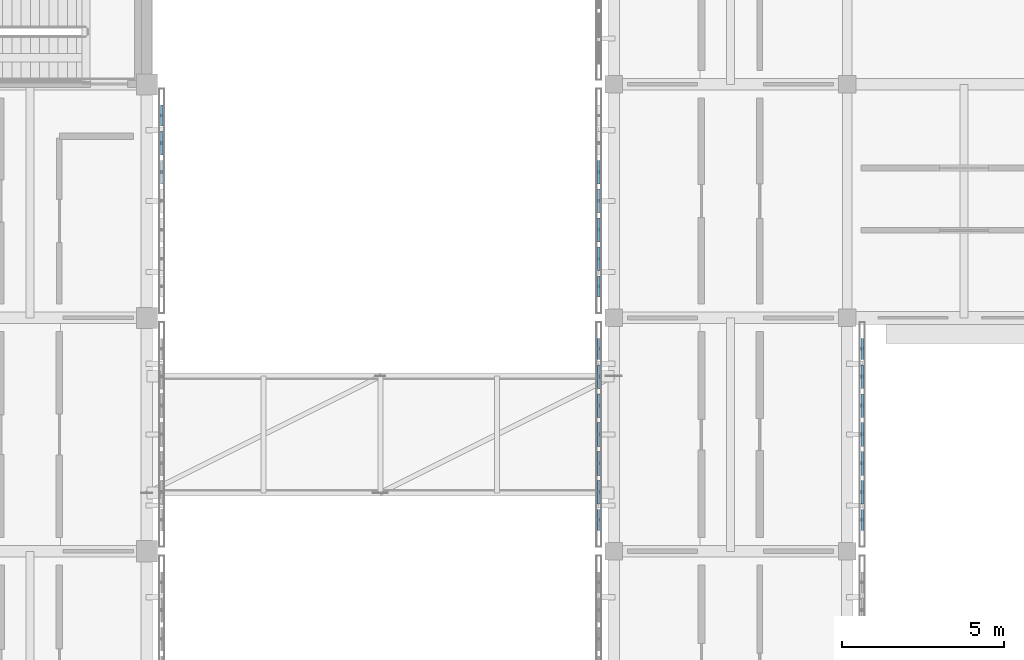
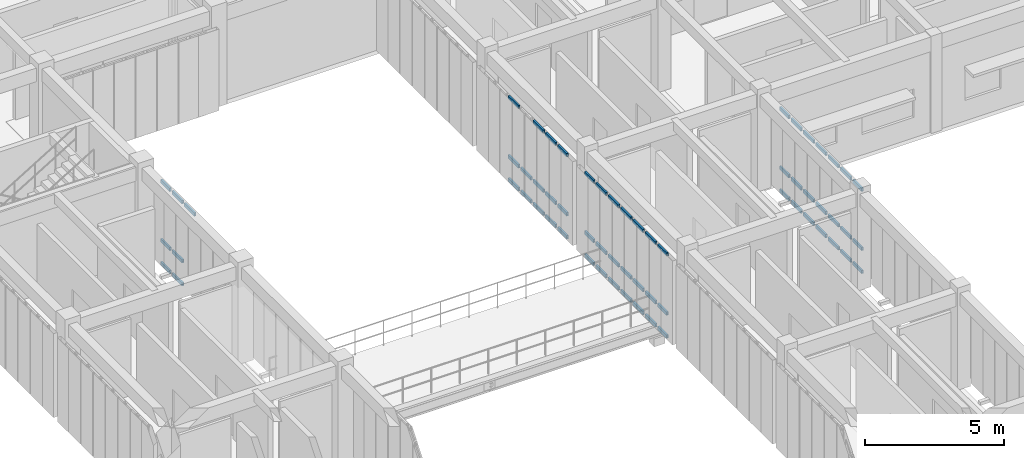
# One storey, part 29 of 91: 63 members, 4 elements without a shape of their own.
"""IFC4 building model written with IfcOpenShell, lengths in metres."""

from ifc_helpers import new_model, si_unit, direction, frame, origin, origin_2d, place, context, subcontext, project, spatial, hollow_rectangle, extrude, material, material_profile, profile_set, type_object, element, aggregate, save


model = new_model("IFC4")

# Units and contexts
model_context = context("Model", 3, precision=1e-05, world=origin(), true_north=direction((0.0, 1.0)))
body_context = subcontext(model_context, "Body", "Model", "MODEL_VIEW")
ifc_project = project(units=[si_unit("LENGTHUNIT", "METRE"), si_unit("AREAUNIT", "SQUARE_METRE"), si_unit("VOLUMEUNIT", "CUBIC_METRE"), si_unit("PLANEANGLEUNIT", "RADIAN"), si_unit("MASSUNIT", "GRAM", prefix="KILO")], contexts=[model_context])

# Site, building, storey
site_placement = place(None, origin())
site = spatial("IfcSite", under=ifc_project, at=site_placement, CompositionType="ELEMENT")
building_placement = place(site_placement, origin())
building = spatial("IfcBuilding", under=site, at=building_placement, Name="Aldebral Square Health Centre", CompositionType="ELEMENT")
storey_placement = place(building_placement, frame((0.0, 0.0, 9.0)))
storey = spatial("IfcBuildingStorey", under=building, at=storey_placement, Name="L02", CompositionType="ELEMENT", Elevation=9.0)

# Curtain wall, members
ifc_material_1 = material(Name="Aluminium and low-E solar glass", Category="aluminium")
curtain_wall_type = type_object("IfcCurtainWallType", Name="CW-FIN-SYS", PredefinedType="USERDEFINED", material=ifc_material_1)
curtain_wall_1_placement = place(storey_placement, origin())
curtain_wall_1 = element("IfcCurtainWall", 1, at=curtain_wall_1_placement, inside=storey, type_object=curtain_wall_type, Name="L02 V4 finned curtain wall L02-V4-00-12-E", ObjectType="SOLAR_CURTAIN_WALL", PredefinedType="USERDEFINED")
ifc_material_2 = material(Name="Anodised aluminium transom", Category="aluminium")
ifc_material_profile = material_profile(ifc_material_2, hollow_rectangle(XDim=0.074951171875, YDim=0.14990234375, WallThickness=0.00390625, at=origin_2d()), Name="CWT 75x150x4")
ifc_profile_set = profile_set([ifc_material_profile], Name="Anodised aluminium transom")
member_type = type_object("IfcMemberType", Name="CWT-STD", PredefinedType="USERDEFINED", material=ifc_profile_set)
member_1_placement = place(storey_placement, frame((7.659912109375, 90.525634765625, 3.652587890625), z_axis=(0.0, 1.0, 0.0), x_axis=(-1.0, 0.0, 0.0)))
member_1 = element("IfcMember", 2, at=member_1_placement, type_object=member_type, Name="CW1 transom 5.3", ObjectType="TRANSOM", PredefinedType="USERDEFINED", context=body_context, shape_type="SweptSolid", body=[
    extrude(hollow_rectangle(XDim=0.074951171875, YDim=0.14990234375, WallThickness=0.00390625, at=origin_2d()), origin(), (0.0, 0.0, 1.0), 0.7314453125),
])
member_2_placement = place(storey_placement, frame((7.659912109375, 91.417236328125, 0.03759765625), z_axis=(0.0, 1.0, 0.0), x_axis=(-1.0, 0.0, 0.0)))
member_2 = element("IfcMember", 3, at=member_2_placement, type_object=member_type, Name="CW1 transom 6.1", ObjectType="TRANSOM", PredefinedType="USERDEFINED", context=body_context, shape_type="SweptSolid", body=[
    extrude(hollow_rectangle(XDim=0.074951171875, YDim=0.14990234375, WallThickness=0.00390625, at=origin_2d()), origin(), (0.0, 0.0, 1.0), 0.7314453125),
])
member_3_placement = place(storey_placement, frame((7.659912109375, 91.417236328125, 1.050048828125), z_axis=(0.0, 1.0, 0.0), x_axis=(-1.0, 0.0, 0.0)))
member_3 = element("IfcMember", 4, at=member_3_placement, type_object=member_type, Name="CW1 transom 6.2", ObjectType="TRANSOM", PredefinedType="USERDEFINED", context=body_context, shape_type="SweptSolid", body=[
    extrude(hollow_rectangle(XDim=0.074951171875, YDim=0.14990234375, WallThickness=0.00390625, at=origin_2d()), origin(), (0.0, 0.0, 1.0), 0.7314453125),
])
member_4_placement = place(storey_placement, frame((7.659912109375, 91.417236328125, 3.652587890625), z_axis=(0.0, 1.0, 0.0), x_axis=(-1.0, 0.0, 0.0)))
member_4 = element("IfcMember", 5, at=member_4_placement, type_object=member_type, Name="CW1 transom 6.3", ObjectType="TRANSOM", PredefinedType="USERDEFINED", context=body_context, shape_type="SweptSolid", body=[
    extrude(hollow_rectangle(XDim=0.074951171875, YDim=0.14990234375, WallThickness=0.00390625, at=origin_2d()), origin(), (0.0, 0.0, 1.0), 0.7314453125),
])
member_5_placement = place(storey_placement, frame((7.659912109375, 92.30859375, 0.03759765625), z_axis=(0.0, 1.0, 0.0), x_axis=(-1.0, 0.0, 0.0)))
member_5 = element("IfcMember", 6, at=member_5_placement, type_object=member_type, Name="CW1 transom 7.1", ObjectType="TRANSOM", PredefinedType="USERDEFINED", context=body_context, shape_type="SweptSolid", body=[
    extrude(hollow_rectangle(XDim=0.074951171875, YDim=0.14990234375, WallThickness=0.00390625, at=origin_2d()), origin(), (0.0, 0.0, 1.0), 0.6513671875),
])
member_6_placement = place(storey_placement, frame((7.659912109375, 92.30859375, 1.050048828125), z_axis=(0.0, 1.0, 0.0), x_axis=(-1.0, 0.0, 0.0)))
member_6 = element("IfcMember", 7, at=member_6_placement, type_object=member_type, Name="CW1 transom 7.2", ObjectType="TRANSOM", PredefinedType="USERDEFINED", context=body_context, shape_type="SweptSolid", body=[
    extrude(hollow_rectangle(XDim=0.074951171875, YDim=0.14990234375, WallThickness=0.00390625, at=origin_2d()), origin(), (0.0, 0.0, 1.0), 0.6513671875),
])
member_7_placement = place(storey_placement, frame((7.659912109375, 92.30859375, 3.652587890625), z_axis=(0.0, 1.0, 0.0), x_axis=(-1.0, 0.0, 0.0)))
member_7 = element("IfcMember", 8, at=member_7_placement, type_object=member_type, Name="CW1 transom 7.3", ObjectType="TRANSOM", PredefinedType="USERDEFINED", context=body_context, shape_type="SweptSolid", body=[
    extrude(hollow_rectangle(XDim=0.074951171875, YDim=0.14990234375, WallThickness=0.00390625, at=origin_2d()), origin(), (0.0, 0.0, 1.0), 0.6513671875),
])
aggregate(curtain_wall_1, [member_1, member_2, member_3, member_4, member_5, member_6, member_7])

curtain_wall_2_placement = place(storey_placement, origin())
curtain_wall_2 = element("IfcCurtainWall", 9, at=curtain_wall_2_placement, inside=storey, type_object=curtain_wall_type, Name="L02 V4 finned curtain wall L02-V4-03-11-W", ObjectType="SOLAR_CURTAIN_WALL", PredefinedType="USERDEFINED")
member_8_placement = place(storey_placement, frame((21.139892578125, 85.760009765625, 0.03759765625), z_axis=(0.0, -1.0, 0.0), x_axis=(1.0, 0.0, 0.0)))
member_8 = element("IfcMember", 10, at=member_8_placement, type_object=member_type, Name="CW1 transom 1.1", ObjectType="TRANSOM", PredefinedType="USERDEFINED", context=body_context, shape_type="SweptSolid", body=[
    extrude(hollow_rectangle(XDim=0.074951171875, YDim=0.14990234375, WallThickness=0.00390625, at=origin_2d()), origin(), (0.0, 0.0, 1.0), 0.6513671875),
])
member_9_placement = place(storey_placement, frame((21.139892578125, 85.760009765625, 1.050048828125), z_axis=(0.0, -1.0, 0.0), x_axis=(1.0, 0.0, 0.0)))
member_9 = element("IfcMember", 11, at=member_9_placement, type_object=member_type, Name="CW1 transom 1.2", ObjectType="TRANSOM", PredefinedType="USERDEFINED", context=body_context, shape_type="SweptSolid", body=[
    extrude(hollow_rectangle(XDim=0.074951171875, YDim=0.14990234375, WallThickness=0.00390625, at=origin_2d()), origin(), (0.0, 0.0, 1.0), 0.6513671875),
])
member_10_placement = place(storey_placement, frame((21.139892578125, 85.760009765625, 3.652587890625), z_axis=(0.0, -1.0, 0.0), x_axis=(1.0, 0.0, 0.0)))
member_10 = element("IfcMember", 12, at=member_10_placement, type_object=member_type, Name="CW1 transom 1.3", ObjectType="TRANSOM", PredefinedType="USERDEFINED", context=body_context, shape_type="SweptSolid", body=[
    extrude(hollow_rectangle(XDim=0.074951171875, YDim=0.14990234375, WallThickness=0.00390625, at=origin_2d()), origin(), (0.0, 0.0, 1.0), 0.6513671875),
])
member_11_placement = place(storey_placement, frame((21.139892578125, 84.948486328125, 0.03759765625), z_axis=(0.0, -1.0, 0.0), x_axis=(1.0, 0.0, 0.0)))
member_11 = element("IfcMember", 13, at=member_11_placement, type_object=member_type, Name="CW1 transom 2.1", ObjectType="TRANSOM", PredefinedType="USERDEFINED", context=body_context, shape_type="SweptSolid", body=[
    extrude(hollow_rectangle(XDim=0.074951171875, YDim=0.14990234375, WallThickness=0.00390625, at=origin_2d()), origin(), (0.0, 0.0, 1.0), 0.7314453125),
])
member_12_placement = place(storey_placement, frame((21.139892578125, 84.948486328125, 1.050048828125), z_axis=(0.0, -1.0, 0.0), x_axis=(1.0, 0.0, 0.0)))
member_12 = element("IfcMember", 14, at=member_12_placement, type_object=member_type, Name="CW1 transom 2.2", ObjectType="TRANSOM", PredefinedType="USERDEFINED", context=body_context, shape_type="SweptSolid", body=[
    extrude(hollow_rectangle(XDim=0.074951171875, YDim=0.14990234375, WallThickness=0.00390625, at=origin_2d()), origin(), (0.0, 0.0, 1.0), 0.7314453125),
])
member_13_placement = place(storey_placement, frame((21.139892578125, 84.948486328125, 3.652587890625), z_axis=(0.0, -1.0, 0.0), x_axis=(1.0, 0.0, 0.0)))
member_13 = element("IfcMember", 15, at=member_13_placement, type_object=member_type, Name="CW1 transom 2.3", ObjectType="TRANSOM", PredefinedType="USERDEFINED", context=body_context, shape_type="SweptSolid", body=[
    extrude(hollow_rectangle(XDim=0.074951171875, YDim=0.14990234375, WallThickness=0.00390625, at=origin_2d()), origin(), (0.0, 0.0, 1.0), 0.7314453125),
])
member_14_placement = place(storey_placement, frame((21.139892578125, 84.05712890625, 0.03759765625), z_axis=(0.0, -1.0, 0.0), x_axis=(1.0, 0.0, 0.0)))
member_14 = element("IfcMember", 16, at=member_14_placement, type_object=member_type, Name="CW1 transom 3.1", ObjectType="TRANSOM", PredefinedType="USERDEFINED", context=body_context, shape_type="SweptSolid", body=[
    extrude(hollow_rectangle(XDim=0.074951171875, YDim=0.14990234375, WallThickness=0.00390625, at=origin_2d()), origin(), (0.0, 0.0, 1.0), 0.7314453125),
])
member_15_placement = place(storey_placement, frame((21.139892578125, 84.05712890625, 1.050048828125), z_axis=(0.0, -1.0, 0.0), x_axis=(1.0, 0.0, 0.0)))
member_15 = element("IfcMember", 17, at=member_15_placement, type_object=member_type, Name="CW1 transom 3.2", ObjectType="TRANSOM", PredefinedType="USERDEFINED", context=body_context, shape_type="SweptSolid", body=[
    extrude(hollow_rectangle(XDim=0.074951171875, YDim=0.14990234375, WallThickness=0.00390625, at=origin_2d()), origin(), (0.0, 0.0, 1.0), 0.7314453125),
])
member_16_placement = place(storey_placement, frame((21.139892578125, 84.05712890625, 3.652587890625), z_axis=(0.0, -1.0, 0.0), x_axis=(1.0, 0.0, 0.0)))
member_16 = element("IfcMember", 18, at=member_16_placement, type_object=member_type, Name="CW1 transom 3.3", ObjectType="TRANSOM", PredefinedType="USERDEFINED", context=body_context, shape_type="SweptSolid", body=[
    extrude(hollow_rectangle(XDim=0.074951171875, YDim=0.14990234375, WallThickness=0.00390625, at=origin_2d()), origin(), (0.0, 0.0, 1.0), 0.7314453125),
])
member_17_placement = place(storey_placement, frame((21.139892578125, 83.165771484375, 0.03759765625), z_axis=(0.0, -1.0, 0.0), x_axis=(1.0, 0.0, 0.0)))
member_17 = element("IfcMember", 19, at=member_17_placement, type_object=member_type, Name="CW1 transom 4.1", ObjectType="TRANSOM", PredefinedType="USERDEFINED", context=body_context, shape_type="SweptSolid", body=[
    extrude(hollow_rectangle(XDim=0.074951171875, YDim=0.14990234375, WallThickness=0.00390625, at=origin_2d()), origin(), (0.0, 0.0, 1.0), 0.7314453125),
])
member_18_placement = place(storey_placement, frame((21.139892578125, 83.165771484375, 1.050048828125), z_axis=(0.0, -1.0, 0.0), x_axis=(1.0, 0.0, 0.0)))
member_18 = element("IfcMember", 20, at=member_18_placement, type_object=member_type, Name="CW1 transom 4.2", ObjectType="TRANSOM", PredefinedType="USERDEFINED", context=body_context, shape_type="SweptSolid", body=[
    extrude(hollow_rectangle(XDim=0.074951171875, YDim=0.14990234375, WallThickness=0.00390625, at=origin_2d()), origin(), (0.0, 0.0, 1.0), 0.7314453125),
])
member_19_placement = place(storey_placement, frame((21.139892578125, 83.165771484375, 3.652587890625), z_axis=(0.0, -1.0, 0.0), x_axis=(1.0, 0.0, 0.0)))
member_19 = element("IfcMember", 21, at=member_19_placement, type_object=member_type, Name="CW1 transom 4.3", ObjectType="TRANSOM", PredefinedType="USERDEFINED", context=body_context, shape_type="SweptSolid", body=[
    extrude(hollow_rectangle(XDim=0.074951171875, YDim=0.14990234375, WallThickness=0.00390625, at=origin_2d()), origin(), (0.0, 0.0, 1.0), 0.7314453125),
])
member_20_placement = place(storey_placement, frame((21.139892578125, 82.274169921875, 0.03759765625), z_axis=(0.0, -1.0, 0.0), x_axis=(1.0, 0.0, 0.0)))
member_20 = element("IfcMember", 22, at=member_20_placement, type_object=member_type, Name="CW1 transom 5.1", ObjectType="TRANSOM", PredefinedType="USERDEFINED", context=body_context, shape_type="SweptSolid", body=[
    extrude(hollow_rectangle(XDim=0.074951171875, YDim=0.14990234375, WallThickness=0.00390625, at=origin_2d()), origin(), (0.0, 0.0, 1.0), 0.731201171875),
])
member_21_placement = place(storey_placement, frame((21.139892578125, 82.274169921875, 1.050048828125), z_axis=(0.0, -1.0, 0.0), x_axis=(1.0, 0.0, 0.0)))
member_21 = element("IfcMember", 23, at=member_21_placement, type_object=member_type, Name="CW1 transom 5.2", ObjectType="TRANSOM", PredefinedType="USERDEFINED", context=body_context, shape_type="SweptSolid", body=[
    extrude(hollow_rectangle(XDim=0.074951171875, YDim=0.14990234375, WallThickness=0.00390625, at=origin_2d()), origin(), (0.0, 0.0, 1.0), 0.731201171875),
])
member_22_placement = place(storey_placement, frame((21.139892578125, 82.274169921875, 3.652587890625), z_axis=(0.0, -1.0, 0.0), x_axis=(1.0, 0.0, 0.0)))
member_22 = element("IfcMember", 24, at=member_22_placement, type_object=member_type, Name="CW1 transom 5.3", ObjectType="TRANSOM", PredefinedType="USERDEFINED", context=body_context, shape_type="SweptSolid", body=[
    extrude(hollow_rectangle(XDim=0.074951171875, YDim=0.14990234375, WallThickness=0.00390625, at=origin_2d()), origin(), (0.0, 0.0, 1.0), 0.731201171875),
])
member_23_placement = place(storey_placement, frame((21.139892578125, 81.3828125, 0.03759765625), z_axis=(0.0, -1.0, 0.0), x_axis=(1.0, 0.0, 0.0)))
member_23 = element("IfcMember", 25, at=member_23_placement, type_object=member_type, Name="CW1 transom 6.1", ObjectType="TRANSOM", PredefinedType="USERDEFINED", context=body_context, shape_type="SweptSolid", body=[
    extrude(hollow_rectangle(XDim=0.074951171875, YDim=0.14990234375, WallThickness=0.00390625, at=origin_2d()), origin(), (0.0, 0.0, 1.0), 0.7314453125),
])
member_24_placement = place(storey_placement, frame((21.139892578125, 81.3828125, 1.050048828125), z_axis=(0.0, -1.0, 0.0), x_axis=(1.0, 0.0, 0.0)))
member_24 = element("IfcMember", 26, at=member_24_placement, type_object=member_type, Name="CW1 transom 6.2", ObjectType="TRANSOM", PredefinedType="USERDEFINED", context=body_context, shape_type="SweptSolid", body=[
    extrude(hollow_rectangle(XDim=0.074951171875, YDim=0.14990234375, WallThickness=0.00390625, at=origin_2d()), origin(), (0.0, 0.0, 1.0), 0.7314453125),
])
member_25_placement = place(storey_placement, frame((21.139892578125, 81.3828125, 3.652587890625), z_axis=(0.0, -1.0, 0.0), x_axis=(1.0, 0.0, 0.0)))
member_25 = element("IfcMember", 27, at=member_25_placement, type_object=member_type, Name="CW1 transom 6.3", ObjectType="TRANSOM", PredefinedType="USERDEFINED", context=body_context, shape_type="SweptSolid", body=[
    extrude(hollow_rectangle(XDim=0.074951171875, YDim=0.14990234375, WallThickness=0.00390625, at=origin_2d()), origin(), (0.0, 0.0, 1.0), 0.7314453125),
])
member_26_placement = place(storey_placement, frame((21.139892578125, 80.491455078125, 0.03759765625), z_axis=(0.0, -1.0, 0.0), x_axis=(1.0, 0.0, 0.0)))
member_26 = element("IfcMember", 28, at=member_26_placement, type_object=member_type, Name="CW1 transom 7.1", ObjectType="TRANSOM", PredefinedType="USERDEFINED", context=body_context, shape_type="SweptSolid", body=[
    extrude(hollow_rectangle(XDim=0.074951171875, YDim=0.14990234375, WallThickness=0.00390625, at=origin_2d()), origin(), (0.0, 0.0, 1.0), 0.6513671875),
])
member_27_placement = place(storey_placement, frame((21.139892578125, 80.491455078125, 1.050048828125), z_axis=(0.0, -1.0, 0.0), x_axis=(1.0, 0.0, 0.0)))
member_27 = element("IfcMember", 29, at=member_27_placement, type_object=member_type, Name="CW1 transom 7.2", ObjectType="TRANSOM", PredefinedType="USERDEFINED", context=body_context, shape_type="SweptSolid", body=[
    extrude(hollow_rectangle(XDim=0.074951171875, YDim=0.14990234375, WallThickness=0.00390625, at=origin_2d()), origin(), (0.0, 0.0, 1.0), 0.6513671875),
])
member_28_placement = place(storey_placement, frame((21.139892578125, 80.491455078125, 3.652587890625), z_axis=(0.0, -1.0, 0.0), x_axis=(1.0, 0.0, 0.0)))
member_28 = element("IfcMember", 30, at=member_28_placement, type_object=member_type, Name="CW1 transom 7.3", ObjectType="TRANSOM", PredefinedType="USERDEFINED", context=body_context, shape_type="SweptSolid", body=[
    extrude(hollow_rectangle(XDim=0.074951171875, YDim=0.14990234375, WallThickness=0.00390625, at=origin_2d()), origin(), (0.0, 0.0, 1.0), 0.6513671875),
])
aggregate(curtain_wall_2, [member_8, member_9, member_10, member_11, member_12, member_13, member_14, member_15, member_16, member_17, member_18, member_19, member_20, member_21, member_22, member_23, member_24, member_25, member_26, member_27, member_28])

curtain_wall_3_placement = place(storey_placement, origin())
curtain_wall_3 = element("IfcCurtainWall", 31, at=curtain_wall_3_placement, inside=storey, type_object=curtain_wall_type, Name="L02 V4 finned curtain wall L02-V4-03-11-E", ObjectType="SOLAR_CURTAIN_WALL", PredefinedType="USERDEFINED")
member_29_placement = place(storey_placement, frame((29.260009765625, 79.840087890625, 0.03759765625), z_axis=(0.0, 1.0, 0.0), x_axis=(-1.0, 0.0, 0.0)))
member_29 = element("IfcMember", 32, at=member_29_placement, type_object=member_type, Name="CW1 transom 1.1", ObjectType="TRANSOM", PredefinedType="USERDEFINED", context=body_context, shape_type="SweptSolid", body=[
    extrude(hollow_rectangle(XDim=0.074951171875, YDim=0.14990234375, WallThickness=0.00390625, at=origin_2d()), origin(), (0.0, 0.0, 1.0), 0.6513671875),
])
member_30_placement = place(storey_placement, frame((29.260009765625, 79.840087890625, 1.050048828125), z_axis=(0.0, 1.0, 0.0), x_axis=(-1.0, 0.0, 0.0)))
member_30 = element("IfcMember", 33, at=member_30_placement, type_object=member_type, Name="CW1 transom 1.2", ObjectType="TRANSOM", PredefinedType="USERDEFINED", context=body_context, shape_type="SweptSolid", body=[
    extrude(hollow_rectangle(XDim=0.074951171875, YDim=0.14990234375, WallThickness=0.00390625, at=origin_2d()), origin(), (0.0, 0.0, 1.0), 0.6513671875),
])
member_31_placement = place(storey_placement, frame((29.260009765625, 79.840087890625, 3.652587890625), z_axis=(0.0, 1.0, 0.0), x_axis=(-1.0, 0.0, 0.0)))
member_31 = element("IfcMember", 34, at=member_31_placement, type_object=member_type, Name="CW1 transom 1.3", ObjectType="TRANSOM", PredefinedType="USERDEFINED", context=body_context, shape_type="SweptSolid", body=[
    extrude(hollow_rectangle(XDim=0.074951171875, YDim=0.14990234375, WallThickness=0.00390625, at=origin_2d()), origin(), (0.0, 0.0, 1.0), 0.6513671875),
])
member_32_placement = place(storey_placement, frame((29.260009765625, 80.6513671875, 0.03759765625), z_axis=(0.0, 1.0, 0.0), x_axis=(-1.0, 0.0, 0.0)))
member_32 = element("IfcMember", 35, at=member_32_placement, type_object=member_type, Name="CW1 transom 2.1", ObjectType="TRANSOM", PredefinedType="USERDEFINED", context=body_context, shape_type="SweptSolid", body=[
    extrude(hollow_rectangle(XDim=0.074951171875, YDim=0.14990234375, WallThickness=0.00390625, at=origin_2d()), origin(), (0.0, 0.0, 1.0), 0.7314453125),
])
member_33_placement = place(storey_placement, frame((29.260009765625, 80.6513671875, 1.050048828125), z_axis=(0.0, 1.0, 0.0), x_axis=(-1.0, 0.0, 0.0)))
member_33 = element("IfcMember", 36, at=member_33_placement, type_object=member_type, Name="CW1 transom 2.2", ObjectType="TRANSOM", PredefinedType="USERDEFINED", context=body_context, shape_type="SweptSolid", body=[
    extrude(hollow_rectangle(XDim=0.074951171875, YDim=0.14990234375, WallThickness=0.00390625, at=origin_2d()), origin(), (0.0, 0.0, 1.0), 0.7314453125),
])
member_34_placement = place(storey_placement, frame((29.260009765625, 80.6513671875, 3.652587890625), z_axis=(0.0, 1.0, 0.0), x_axis=(-1.0, 0.0, 0.0)))
member_34 = element("IfcMember", 37, at=member_34_placement, type_object=member_type, Name="CW1 transom 2.3", ObjectType="TRANSOM", PredefinedType="USERDEFINED", context=body_context, shape_type="SweptSolid", body=[
    extrude(hollow_rectangle(XDim=0.074951171875, YDim=0.14990234375, WallThickness=0.00390625, at=origin_2d()), origin(), (0.0, 0.0, 1.0), 0.7314453125),
])
member_35_placement = place(storey_placement, frame((29.260009765625, 81.54296875, 0.03759765625), z_axis=(0.0, 1.0, 0.0), x_axis=(-1.0, 0.0, 0.0)))
member_35 = element("IfcMember", 38, at=member_35_placement, type_object=member_type, Name="CW1 transom 3.1", ObjectType="TRANSOM", PredefinedType="USERDEFINED", context=body_context, shape_type="SweptSolid", body=[
    extrude(hollow_rectangle(XDim=0.074951171875, YDim=0.14990234375, WallThickness=0.00390625, at=origin_2d()), origin(), (0.0, 0.0, 1.0), 0.731201171875),
])
member_36_placement = place(storey_placement, frame((29.260009765625, 81.54296875, 1.050048828125), z_axis=(0.0, 1.0, 0.0), x_axis=(-1.0, 0.0, 0.0)))
member_36 = element("IfcMember", 39, at=member_36_placement, type_object=member_type, Name="CW1 transom 3.2", ObjectType="TRANSOM", PredefinedType="USERDEFINED", context=body_context, shape_type="SweptSolid", body=[
    extrude(hollow_rectangle(XDim=0.074951171875, YDim=0.14990234375, WallThickness=0.00390625, at=origin_2d()), origin(), (0.0, 0.0, 1.0), 0.731201171875),
])
member_37_placement = place(storey_placement, frame((29.260009765625, 81.54296875, 3.652587890625), z_axis=(0.0, 1.0, 0.0), x_axis=(-1.0, 0.0, 0.0)))
member_37 = element("IfcMember", 40, at=member_37_placement, type_object=member_type, Name="CW1 transom 3.3", ObjectType="TRANSOM", PredefinedType="USERDEFINED", context=body_context, shape_type="SweptSolid", body=[
    extrude(hollow_rectangle(XDim=0.074951171875, YDim=0.14990234375, WallThickness=0.00390625, at=origin_2d()), origin(), (0.0, 0.0, 1.0), 0.731201171875),
])
member_38_placement = place(storey_placement, frame((29.260009765625, 82.434326171875, 0.03759765625), z_axis=(0.0, 1.0, 0.0), x_axis=(-1.0, 0.0, 0.0)))
member_38 = element("IfcMember", 41, at=member_38_placement, type_object=member_type, Name="CW1 transom 4.1", ObjectType="TRANSOM", PredefinedType="USERDEFINED", context=body_context, shape_type="SweptSolid", body=[
    extrude(hollow_rectangle(XDim=0.074951171875, YDim=0.14990234375, WallThickness=0.00390625, at=origin_2d()), origin(), (0.0, 0.0, 1.0), 0.7314453125),
])
member_39_placement = place(storey_placement, frame((29.260009765625, 82.434326171875, 1.050048828125), z_axis=(0.0, 1.0, 0.0), x_axis=(-1.0, 0.0, 0.0)))
member_39 = element("IfcMember", 42, at=member_39_placement, type_object=member_type, Name="CW1 transom 4.2", ObjectType="TRANSOM", PredefinedType="USERDEFINED", context=body_context, shape_type="SweptSolid", body=[
    extrude(hollow_rectangle(XDim=0.074951171875, YDim=0.14990234375, WallThickness=0.00390625, at=origin_2d()), origin(), (0.0, 0.0, 1.0), 0.7314453125),
])
member_40_placement = place(storey_placement, frame((29.260009765625, 82.434326171875, 3.652587890625), z_axis=(0.0, 1.0, 0.0), x_axis=(-1.0, 0.0, 0.0)))
member_40 = element("IfcMember", 43, at=member_40_placement, type_object=member_type, Name="CW1 transom 4.3", ObjectType="TRANSOM", PredefinedType="USERDEFINED", context=body_context, shape_type="SweptSolid", body=[
    extrude(hollow_rectangle(XDim=0.074951171875, YDim=0.14990234375, WallThickness=0.00390625, at=origin_2d()), origin(), (0.0, 0.0, 1.0), 0.7314453125),
])
member_41_placement = place(storey_placement, frame((29.260009765625, 83.32568359375, 0.03759765625), z_axis=(0.0, 1.0, 0.0), x_axis=(-1.0, 0.0, 0.0)))
member_41 = element("IfcMember", 44, at=member_41_placement, type_object=member_type, Name="CW1 transom 5.1", ObjectType="TRANSOM", PredefinedType="USERDEFINED", context=body_context, shape_type="SweptSolid", body=[
    extrude(hollow_rectangle(XDim=0.074951171875, YDim=0.14990234375, WallThickness=0.00390625, at=origin_2d()), origin(), (0.0, 0.0, 1.0), 0.7314453125),
])
member_42_placement = place(storey_placement, frame((29.260009765625, 83.32568359375, 1.050048828125), z_axis=(0.0, 1.0, 0.0), x_axis=(-1.0, 0.0, 0.0)))
member_42 = element("IfcMember", 45, at=member_42_placement, type_object=member_type, Name="CW1 transom 5.2", ObjectType="TRANSOM", PredefinedType="USERDEFINED", context=body_context, shape_type="SweptSolid", body=[
    extrude(hollow_rectangle(XDim=0.074951171875, YDim=0.14990234375, WallThickness=0.00390625, at=origin_2d()), origin(), (0.0, 0.0, 1.0), 0.7314453125),
])
member_43_placement = place(storey_placement, frame((29.260009765625, 83.32568359375, 3.652587890625), z_axis=(0.0, 1.0, 0.0), x_axis=(-1.0, 0.0, 0.0)))
member_43 = element("IfcMember", 46, at=member_43_placement, type_object=member_type, Name="CW1 transom 5.3", ObjectType="TRANSOM", PredefinedType="USERDEFINED", context=body_context, shape_type="SweptSolid", body=[
    extrude(hollow_rectangle(XDim=0.074951171875, YDim=0.14990234375, WallThickness=0.00390625, at=origin_2d()), origin(), (0.0, 0.0, 1.0), 0.7314453125),
])
member_44_placement = place(storey_placement, frame((29.260009765625, 84.217041015625, 0.03759765625), z_axis=(0.0, 1.0, 0.0), x_axis=(-1.0, 0.0, 0.0)))
member_44 = element("IfcMember", 47, at=member_44_placement, type_object=member_type, Name="CW1 transom 6.1", ObjectType="TRANSOM", PredefinedType="USERDEFINED", context=body_context, shape_type="SweptSolid", body=[
    extrude(hollow_rectangle(XDim=0.074951171875, YDim=0.14990234375, WallThickness=0.00390625, at=origin_2d()), origin(), (0.0, 0.0, 1.0), 0.7314453125),
])
member_45_placement = place(storey_placement, frame((29.260009765625, 84.217041015625, 1.050048828125), z_axis=(0.0, 1.0, 0.0), x_axis=(-1.0, 0.0, 0.0)))
member_45 = element("IfcMember", 48, at=member_45_placement, type_object=member_type, Name="CW1 transom 6.2", ObjectType="TRANSOM", PredefinedType="USERDEFINED", context=body_context, shape_type="SweptSolid", body=[
    extrude(hollow_rectangle(XDim=0.074951171875, YDim=0.14990234375, WallThickness=0.00390625, at=origin_2d()), origin(), (0.0, 0.0, 1.0), 0.7314453125),
])
member_46_placement = place(storey_placement, frame((29.260009765625, 84.217041015625, 3.652587890625), z_axis=(0.0, 1.0, 0.0), x_axis=(-1.0, 0.0, 0.0)))
member_46 = element("IfcMember", 49, at=member_46_placement, type_object=member_type, Name="CW1 transom 6.3", ObjectType="TRANSOM", PredefinedType="USERDEFINED", context=body_context, shape_type="SweptSolid", body=[
    extrude(hollow_rectangle(XDim=0.074951171875, YDim=0.14990234375, WallThickness=0.00390625, at=origin_2d()), origin(), (0.0, 0.0, 1.0), 0.7314453125),
])
member_47_placement = place(storey_placement, frame((29.260009765625, 85.108642578125, 0.03759765625), z_axis=(0.0, 1.0, 0.0), x_axis=(-1.0, 0.0, 0.0)))
member_47 = element("IfcMember", 50, at=member_47_placement, type_object=member_type, Name="CW1 transom 7.1", ObjectType="TRANSOM", PredefinedType="USERDEFINED", context=body_context, shape_type="SweptSolid", body=[
    extrude(hollow_rectangle(XDim=0.074951171875, YDim=0.14990234375, WallThickness=0.00390625, at=origin_2d()), origin(), (0.0, 0.0, 1.0), 0.6513671875),
])
member_48_placement = place(storey_placement, frame((29.260009765625, 85.108642578125, 1.050048828125), z_axis=(0.0, 1.0, 0.0), x_axis=(-1.0, 0.0, 0.0)))
member_48 = element("IfcMember", 51, at=member_48_placement, type_object=member_type, Name="CW1 transom 7.2", ObjectType="TRANSOM", PredefinedType="USERDEFINED", context=body_context, shape_type="SweptSolid", body=[
    extrude(hollow_rectangle(XDim=0.074951171875, YDim=0.14990234375, WallThickness=0.00390625, at=origin_2d()), origin(), (0.0, 0.0, 1.0), 0.6513671875),
])
member_49_placement = place(storey_placement, frame((29.260009765625, 85.108642578125, 3.652587890625), z_axis=(0.0, 1.0, 0.0), x_axis=(-1.0, 0.0, 0.0)))
member_49 = element("IfcMember", 52, at=member_49_placement, type_object=member_type, Name="CW1 transom 7.3", ObjectType="TRANSOM", PredefinedType="USERDEFINED", context=body_context, shape_type="SweptSolid", body=[
    extrude(hollow_rectangle(XDim=0.074951171875, YDim=0.14990234375, WallThickness=0.00390625, at=origin_2d()), origin(), (0.0, 0.0, 1.0), 0.6513671875),
])
aggregate(curtain_wall_3, [member_29, member_30, member_31, member_32, member_33, member_34, member_35, member_36, member_37, member_38, member_39, member_40, member_41, member_42, member_43, member_44, member_45, member_46, member_47, member_48, member_49])

curtain_wall_4_placement = place(storey_placement, origin())
curtain_wall_4 = element("IfcCurtainWall", 53, at=curtain_wall_4_placement, inside=storey, type_object=curtain_wall_type, Name="L02 V4 finned curtain wall L02-V4-03-12-W", ObjectType="SOLAR_CURTAIN_WALL", PredefinedType="USERDEFINED")
member_50_placement = place(storey_placement, frame((21.139892578125, 91.257080078125, 0.03759765625), z_axis=(0.0, -1.0, 0.0), x_axis=(1.0, 0.0, 0.0)))
member_50 = element("IfcMember", 54, at=member_50_placement, type_object=member_type, Name="CW1 transom 3.1", ObjectType="TRANSOM", PredefinedType="USERDEFINED", context=body_context, shape_type="SweptSolid", body=[
    extrude(hollow_rectangle(XDim=0.074951171875, YDim=0.14990234375, WallThickness=0.00390625, at=origin_2d()), origin(), (0.0, 0.0, 1.0), 0.7314453125),
])
member_51_placement = place(storey_placement, frame((21.139892578125, 91.257080078125, 1.050048828125), z_axis=(0.0, -1.0, 0.0), x_axis=(1.0, 0.0, 0.0)))
member_51 = element("IfcMember", 55, at=member_51_placement, type_object=member_type, Name="CW1 transom 3.2", ObjectType="TRANSOM", PredefinedType="USERDEFINED", context=body_context, shape_type="SweptSolid", body=[
    extrude(hollow_rectangle(XDim=0.074951171875, YDim=0.14990234375, WallThickness=0.00390625, at=origin_2d()), origin(), (0.0, 0.0, 1.0), 0.7314453125),
])
member_52_placement = place(storey_placement, frame((21.139892578125, 91.257080078125, 3.652587890625), z_axis=(0.0, -1.0, 0.0), x_axis=(1.0, 0.0, 0.0)))
member_52 = element("IfcMember", 56, at=member_52_placement, type_object=member_type, Name="CW1 transom 3.3", ObjectType="TRANSOM", PredefinedType="USERDEFINED", context=body_context, shape_type="SweptSolid", body=[
    extrude(hollow_rectangle(XDim=0.074951171875, YDim=0.14990234375, WallThickness=0.00390625, at=origin_2d()), origin(), (0.0, 0.0, 1.0), 0.7314453125),
])
member_53_placement = place(storey_placement, frame((21.139892578125, 90.36572265625, 0.03759765625), z_axis=(0.0, -1.0, 0.0), x_axis=(1.0, 0.0, 0.0)))
member_53 = element("IfcMember", 57, at=member_53_placement, type_object=member_type, Name="CW1 transom 4.1", ObjectType="TRANSOM", PredefinedType="USERDEFINED", context=body_context, shape_type="SweptSolid", body=[
    extrude(hollow_rectangle(XDim=0.074951171875, YDim=0.14990234375, WallThickness=0.00390625, at=origin_2d()), origin(), (0.0, 0.0, 1.0), 0.7314453125),
])
member_54_placement = place(storey_placement, frame((21.139892578125, 90.36572265625, 1.050048828125), z_axis=(0.0, -1.0, 0.0), x_axis=(1.0, 0.0, 0.0)))
member_54 = element("IfcMember", 58, at=member_54_placement, type_object=member_type, Name="CW1 transom 4.2", ObjectType="TRANSOM", PredefinedType="USERDEFINED", context=body_context, shape_type="SweptSolid", body=[
    extrude(hollow_rectangle(XDim=0.074951171875, YDim=0.14990234375, WallThickness=0.00390625, at=origin_2d()), origin(), (0.0, 0.0, 1.0), 0.7314453125),
])
member_55_placement = place(storey_placement, frame((21.139892578125, 89.474365234375, 0.03759765625), z_axis=(0.0, -1.0, 0.0), x_axis=(1.0, 0.0, 0.0)))
member_55 = element("IfcMember", 59, at=member_55_placement, type_object=member_type, Name="CW1 transom 5.1", ObjectType="TRANSOM", PredefinedType="USERDEFINED", context=body_context, shape_type="SweptSolid", body=[
    extrude(hollow_rectangle(XDim=0.074951171875, YDim=0.14990234375, WallThickness=0.00390625, at=origin_2d()), origin(), (0.0, 0.0, 1.0), 0.7314453125),
])
member_56_placement = place(storey_placement, frame((21.139892578125, 89.474365234375, 1.050048828125), z_axis=(0.0, -1.0, 0.0), x_axis=(1.0, 0.0, 0.0)))
member_56 = element("IfcMember", 60, at=member_56_placement, type_object=member_type, Name="CW1 transom 5.2", ObjectType="TRANSOM", PredefinedType="USERDEFINED", context=body_context, shape_type="SweptSolid", body=[
    extrude(hollow_rectangle(XDim=0.074951171875, YDim=0.14990234375, WallThickness=0.00390625, at=origin_2d()), origin(), (0.0, 0.0, 1.0), 0.7314453125),
])
member_57_placement = place(storey_placement, frame((21.139892578125, 89.474365234375, 3.652587890625), z_axis=(0.0, -1.0, 0.0), x_axis=(1.0, 0.0, 0.0)))
member_57 = element("IfcMember", 61, at=member_57_placement, type_object=member_type, Name="CW1 transom 5.3", ObjectType="TRANSOM", PredefinedType="USERDEFINED", context=body_context, shape_type="SweptSolid", body=[
    extrude(hollow_rectangle(XDim=0.074951171875, YDim=0.14990234375, WallThickness=0.00390625, at=origin_2d()), origin(), (0.0, 0.0, 1.0), 0.7314453125),
])
member_58_placement = place(storey_placement, frame((21.139892578125, 88.582763671875, 0.03759765625), z_axis=(0.0, -1.0, 0.0), x_axis=(1.0, 0.0, 0.0)))
member_58 = element("IfcMember", 62, at=member_58_placement, type_object=member_type, Name="CW1 transom 6.1", ObjectType="TRANSOM", PredefinedType="USERDEFINED", context=body_context, shape_type="SweptSolid", body=[
    extrude(hollow_rectangle(XDim=0.074951171875, YDim=0.14990234375, WallThickness=0.00390625, at=origin_2d()), origin(), (0.0, 0.0, 1.0), 0.7314453125),
])
member_59_placement = place(storey_placement, frame((21.139892578125, 88.582763671875, 1.050048828125), z_axis=(0.0, -1.0, 0.0), x_axis=(1.0, 0.0, 0.0)))
member_59 = element("IfcMember", 63, at=member_59_placement, type_object=member_type, Name="CW1 transom 6.2", ObjectType="TRANSOM", PredefinedType="USERDEFINED", context=body_context, shape_type="SweptSolid", body=[
    extrude(hollow_rectangle(XDim=0.074951171875, YDim=0.14990234375, WallThickness=0.00390625, at=origin_2d()), origin(), (0.0, 0.0, 1.0), 0.7314453125),
])
member_60_placement = place(storey_placement, frame((21.139892578125, 88.582763671875, 3.652587890625), z_axis=(0.0, -1.0, 0.0), x_axis=(1.0, 0.0, 0.0)))
member_60 = element("IfcMember", 64, at=member_60_placement, type_object=member_type, Name="CW1 transom 6.3", ObjectType="TRANSOM", PredefinedType="USERDEFINED", context=body_context, shape_type="SweptSolid", body=[
    extrude(hollow_rectangle(XDim=0.074951171875, YDim=0.14990234375, WallThickness=0.00390625, at=origin_2d()), origin(), (0.0, 0.0, 1.0), 0.7314453125),
])
member_61_placement = place(storey_placement, frame((21.139892578125, 87.69140625, 0.03759765625), z_axis=(0.0, -1.0, 0.0), x_axis=(1.0, 0.0, 0.0)))
member_61 = element("IfcMember", 65, at=member_61_placement, type_object=member_type, Name="CW1 transom 7.1", ObjectType="TRANSOM", PredefinedType="USERDEFINED", context=body_context, shape_type="SweptSolid", body=[
    extrude(hollow_rectangle(XDim=0.074951171875, YDim=0.14990234375, WallThickness=0.00390625, at=origin_2d()), origin(), (0.0, 0.0, 1.0), 0.6513671875),
])
member_62_placement = place(storey_placement, frame((21.139892578125, 87.69140625, 1.050048828125), z_axis=(0.0, -1.0, 0.0), x_axis=(1.0, 0.0, 0.0)))
member_62 = element("IfcMember", 66, at=member_62_placement, type_object=member_type, Name="CW1 transom 7.2", ObjectType="TRANSOM", PredefinedType="USERDEFINED", context=body_context, shape_type="SweptSolid", body=[
    extrude(hollow_rectangle(XDim=0.074951171875, YDim=0.14990234375, WallThickness=0.00390625, at=origin_2d()), origin(), (0.0, 0.0, 1.0), 0.6513671875),
])
member_63_placement = place(storey_placement, frame((21.139892578125, 87.69140625, 3.652587890625), z_axis=(0.0, -1.0, 0.0), x_axis=(1.0, 0.0, 0.0)))
member_63 = element("IfcMember", 67, at=member_63_placement, type_object=member_type, Name="CW1 transom 7.3", ObjectType="TRANSOM", PredefinedType="USERDEFINED", context=body_context, shape_type="SweptSolid", body=[
    extrude(hollow_rectangle(XDim=0.074951171875, YDim=0.14990234375, WallThickness=0.00390625, at=origin_2d()), origin(), (0.0, 0.0, 1.0), 0.6513671875),
])
aggregate(curtain_wall_4, [member_50, member_51, member_52, member_53, member_54, member_55, member_56, member_57, member_58, member_59, member_60, member_61, member_62, member_63])

save(model, "model.ifc")
